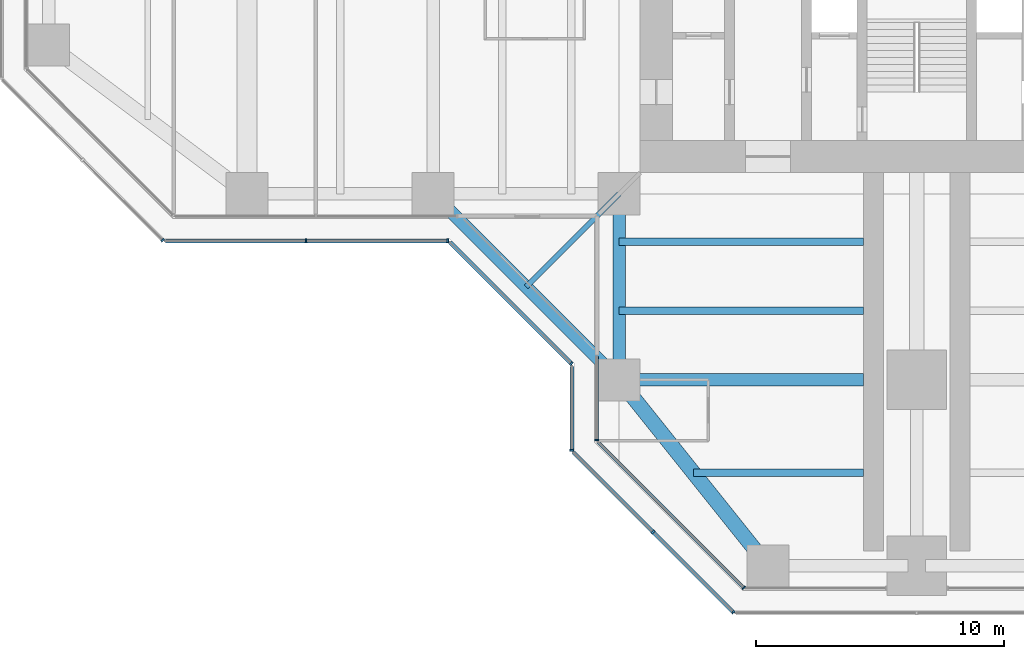
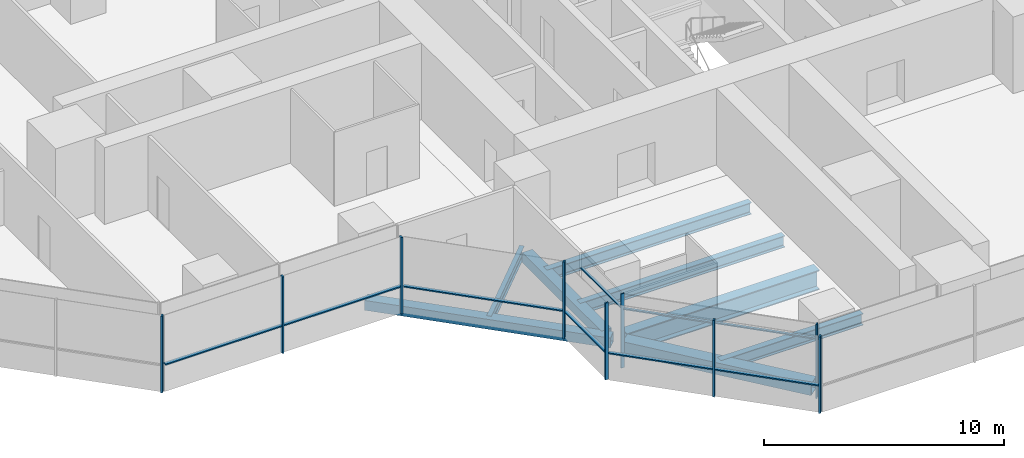
# One storey, part 2 of 20: 17 members, 8 beams, 7 elements without a shape of their own.
"""IFC4 building model written with IfcOpenShell, lengths in metres."""

from ifc_helpers import new_model, si_unit, direction, frame, origin, origin_2d, place, context, subcontext, project, spatial, rectangle, hollow_rectangle, i_section, extrude, material, material_profile, profile_set, type_object, element, aggregate, save


model = new_model("IFC4")

# Units and contexts
model_context = context("Model", 3, precision=1e-05, world=origin(), true_north=direction((0.0, 1.0)))
body_context = subcontext(model_context, "Body", "Model", "MODEL_VIEW")
ifc_project = project(units=[si_unit("LENGTHUNIT", "METRE"), si_unit("AREAUNIT", "SQUARE_METRE"), si_unit("VOLUMEUNIT", "CUBIC_METRE"), si_unit("PLANEANGLEUNIT", "RADIAN"), si_unit("MASSUNIT", "GRAM", prefix="KILO")], contexts=[model_context])

# Site, building, storey
site_placement = place(None, origin())
site = spatial("IfcSite", under=ifc_project, at=site_placement, CompositionType="ELEMENT")
building_placement = place(site_placement, origin())
building = spatial("IfcBuilding", under=site, at=building_placement, Name="Mizan Broadcast Tower", CompositionType="ELEMENT")
storey_placement = place(building_placement, frame((0.0, 0.0, 147.60009765625)))
storey = spatial("IfcBuildingStorey", under=building, at=storey_placement, Name="L33", CompositionType="ELEMENT", Elevation=147.60009765625)

# Beams
ifc_material_1 = material(Name="Steel S355", Category="steel")
ifc_material_profile_1 = material_profile(ifc_material_1, hollow_rectangle(XDim=0.5, YDim=0.5, WallThickness=0.030029296875, at=origin_2d()), Name="BOX 500x500x30")
ifc_profile_set_1 = profile_set([ifc_material_profile_1], Name="Steel S355")
beam_type_1 = type_object("IfcBeamType", Name="EDGE BEAM BOX 500x500x30", PredefinedType="SPANDREL", material=ifc_profile_set_1)
beam_1_placement = place(storey_placement, frame((-12.0, -12.449951171875, -0.380126953125), z_axis=(0.0, -1.0, 0.0), x_axis=(1.0, 0.0, 0.0)))
element("IfcBeam", 1, at=beam_1_placement, inside=storey, type_object=beam_type_1, Name="Edge beam BOX 500x500x30 L33 south arm", PredefinedType="SPANDREL", context=body_context, shape_type="SweptSolid", body=[
    extrude(hollow_rectangle(XDim=0.5, YDim=0.5, WallThickness=0.030029296875, at=origin_2d()), origin(), (0.0, 0.0, 1.0), 6.60009765625),
])
beam_2_placement = place(storey_placement, frame((-19.5, -12.0, -0.380126953125), z_axis=(0.707106781187, -0.707106781187, 0.0), x_axis=(0.707106781187, 0.707106781187, 0.0)))
element("IfcBeam", 2, at=beam_2_placement, inside=storey, type_object=beam_type_1, Name="Winter garden edge beam L33 W", PredefinedType="SPANDREL", context=body_context, shape_type="SweptSolid", body=[
    extrude(hollow_rectangle(XDim=0.5, YDim=0.5, WallThickness=0.030029296875, at=origin_2d()), origin(), (0.0, 0.0, 1.0), 10.606689453125),
])
ifc_material_2 = material(Name="Steel S355", Category="steel")
ifc_material_profile_2 = material_profile(ifc_material_2, hollow_rectangle(XDim=0.60009765625, YDim=0.60009765625, WallThickness=0.030029296875, at=origin_2d()), Name="BOX 600x600x30")
ifc_profile_set_2 = profile_set([ifc_material_profile_2], Name="Steel S355")
beam_type_2 = type_object("IfcBeamType", Name="EDGE BEAM BOX 600x600x30", PredefinedType="SPANDREL", material=ifc_profile_set_2)
beam_3_placement = place(storey_placement, frame((-11.639892578125, -19.949951171875, -0.43017578125), z_axis=(0.624673911726, -0.780885717636, 0.0), x_axis=(0.780885717636, 0.624673911726, 0.0)))
element("IfcBeam", 3, at=beam_3_placement, inside=storey, type_object=beam_type_2, Name="Edge beam BOX 600x600x30 L33 south arm", PredefinedType="SPANDREL", context=body_context, shape_type="SweptSolid", body=[
    extrude(hollow_rectangle(XDim=0.60009765625, YDim=0.60009765625, WallThickness=0.030029296875, at=origin_2d()), origin(), (0.0, 0.0, 1.0), 8.4521484375),
])
ifc_material_3 = material(Name="Steel S460", Category="steel")
ifc_material_profile_3 = material_profile(ifc_material_3, i_section(OverallWidth=0.5, OverallDepth=1.0, WebThickness=0.02490234375, FlangeThickness=0.050048828125, at=origin_2d()), Name="WPG 1000x500")
ifc_profile_set_3 = profile_set([ifc_material_profile_3], Name="Steel S460")
beam_type_3 = type_object("IfcBeamType", Name="GIRDER WPG 1000x500", PredefinedType="BEAM", material=ifc_profile_set_3)
beam_4_placement = place(storey_placement, frame((-11.408935546875, -19.5, -0.630126953125), z_axis=(1.0, 0.0, 0.0), x_axis=(0.0, 1.0, 0.0)))
element("IfcBeam", 4, at=beam_4_placement, inside=storey, type_object=beam_type_3, Name="Girder WPG 1000x500 L33 south arm", PredefinedType="BEAM", context=body_context, shape_type="SweptSolid", body=[
    extrude(i_section(OverallWidth=0.5, OverallDepth=1.0, WebThickness=0.02490234375, FlangeThickness=0.050048828125, at=origin_2d()), origin(), (0.0, 0.0, 1.0), 9.259033203125),
])

# Curtain wall, member
ifc_material_4 = material(Name="Aluminium framed glazing", Category="aluminium")
curtain_wall_type_1 = type_object("IfcCurtainWallType", Name="INNER SKIN MID ZONE", PredefinedType="USERDEFINED", material=ifc_material_4)
curtain_wall_1_placement = place(storey_placement, origin())
curtain_wall_1 = element("IfcCurtainWall", 5, at=curtain_wall_1_placement, inside=storey, type_object=curtain_wall_type_1, Name="Inner skin mid zone L33 S side", ObjectType="INNER SKIN MID ZONE", PredefinedType="USERDEFINED")
ifc_material_5 = material(Name="Aluminium, pale anodised", Category="aluminium")
ifc_material_profile_4 = material_profile(ifc_material_5, rectangle(XDim=0.159912109375, YDim=0.06005859375, at=origin_2d()), Name="MULLION 160x60")
ifc_profile_set_4 = profile_set([ifc_material_profile_4], Name="Aluminium, pale anodised")
member_type_1 = type_object("IfcMemberType", Name="INNER SKIN MULLION 60x160", PredefinedType="MULLION", material=ifc_profile_set_4)
member_1_placement = place(storey_placement, frame((-12.89990234375, -21.928466796875, 0.0), z_axis=(0.0, 0.0, 1.0), x_axis=(1.0, 0.0, 0.0)))
member_1 = element("IfcMember", 6, at=member_1_placement, type_object=member_type_1, Name="Inner skin mid zone L33 S side mullion 2", PredefinedType="MULLION", context=body_context, shape_type="SweptSolid", body=[
    extrude(rectangle(XDim=0.159912109375, YDim=0.06005859375, at=origin_2d()), origin(), (0.0, 0.0, 1.0), 3.77001953125),
])

curtain_wall_2_placement = place(storey_placement, origin())
curtain_wall_2 = element("IfcCurtainWall", 7, at=curtain_wall_2_placement, inside=storey, type_object=curtain_wall_type_1, Name="Inner skin mid zone L33 S chamfer", ObjectType="INNER SKIN MID ZONE", PredefinedType="USERDEFINED")
member_2_placement = place(storey_placement, frame((-6.979736328125, -27.87890625, 0.0), z_axis=(0.0, 0.0, 1.0), x_axis=(0.707106781187, 0.707106781187, 0.0)))
member_2 = element("IfcMember", 8, at=member_2_placement, type_object=member_type_1, Name="Inner skin mid zone L33 S chamfer mullion 2", PredefinedType="MULLION", context=body_context, shape_type="SweptSolid", body=[
    extrude(rectangle(XDim=0.159912109375, YDim=0.06005859375, at=origin_2d()), origin(), (0.0, 0.0, 1.0), 3.77001953125),
])

# Member
ifc_material_6 = material(Name="Aluminium, pale anodised", Category="aluminium")
ifc_material_profile_5 = material_profile(ifc_material_6, rectangle(XDim=0.1201171875, YDim=0.06005859375, at=origin_2d()), Name="TRANSOM 120x60")
ifc_profile_set_5 = profile_set([ifc_material_profile_5], Name="Aluminium, pale anodised")
member_type_2 = type_object("IfcMemberType", Name="INNER SKIN TRANSOM 60x120", PredefinedType="USERDEFINED", material=ifc_profile_set_5)
member_3_placement = place(storey_placement, frame((-12.89990234375, -18.56005859375, 3.02978515625), z_axis=(0.0, -1.0, 0.0), x_axis=(1.0, 0.0, 0.0)))
member_3 = element("IfcMember", 9, at=member_3_placement, type_object=member_type_2, Name="Inner skin mid zone L33 S side transom 1.1", ObjectType="TRANSOM", PredefinedType="USERDEFINED", context=body_context, shape_type="SweptSolid", body=[
    extrude(rectangle(XDim=0.1201171875, YDim=0.06005859375, at=origin_2d()), origin(), (0.0, 0.0, 1.0), 3.338623046875),
])

aggregate(curtain_wall_1, [member_1, member_3])

member_4_placement = place(storey_placement, frame((-12.857666015625, -22.0009765625, 3.02978515625), z_axis=(0.707106781187, -0.707106781187, 0.0), x_axis=(0.707106781187, 0.707106781187, 0.0)))
member_4 = element("IfcMember", 10, at=member_4_placement, type_object=member_type_2, Name="Inner skin mid zone L33 S chamfer transom 1.1", ObjectType="TRANSOM", PredefinedType="USERDEFINED", context=body_context, shape_type="SweptSolid", body=[
    extrude(rectangle(XDim=0.1201171875, YDim=0.06005859375, at=origin_2d()), origin(), (0.0, 0.0, 1.0), 8.28271484375),
])

aggregate(curtain_wall_2, [member_2, member_4])

# Curtain wall, member
ifc_material_7 = material(Name="Aluminium framed glazing", Category="aluminium")
curtain_wall_type_2 = type_object("IfcCurtainWallType", Name="OUTER SKIN", PredefinedType="USERDEFINED", material=ifc_material_7)
curtain_wall_3_placement = place(storey_placement, origin())
curtain_wall_3 = element("IfcCurtainWall", 11, at=curtain_wall_3_placement, inside=storey, type_object=curtain_wall_type_2, Name="Outer skin L33 W chamfer", ObjectType="OUTER SKIN", PredefinedType="USERDEFINED")
ifc_material_8 = material(Name="Aluminium, pale anodised", Category="aluminium")
ifc_material_profile_6 = material_profile(ifc_material_8, rectangle(XDim=0.159912109375, YDim=0.080078125, at=origin_2d()), Name="MULLION 160x80")
ifc_profile_set_6 = profile_set([ifc_material_profile_6], Name="Aluminium, pale anodised")
member_type_3 = type_object("IfcMemberType", Name="OUTER SKIN MULLION 80x160", PredefinedType="MULLION", material=ifc_profile_set_6)
member_5_placement = place(storey_placement, frame((-30.401123046875, -13.871826171875, 0.0), z_axis=(0.0, 0.0, 1.0), x_axis=(0.707106781187, 0.707106781187, 0.0)))
member_5 = element("IfcMember", 12, at=member_5_placement, type_object=member_type_3, Name="Outer skin L33 W chamfer mullion 3", PredefinedType="MULLION", context=body_context, shape_type="SweptSolid", body=[
    extrude(rectangle(XDim=0.159912109375, YDim=0.080078125, at=origin_2d()), origin(), (0.0, 0.0, 1.0), 3.89990234375),
])
aggregate(curtain_wall_3, [member_5])

# Curtain wall, members
curtain_wall_4_placement = place(storey_placement, origin())
curtain_wall_4 = element("IfcCurtainWall", 13, at=curtain_wall_4_placement, inside=storey, type_object=curtain_wall_type_2, Name="Outer skin L33 W side", ObjectType="OUTER SKIN", PredefinedType="USERDEFINED")
member_6_placement = place(storey_placement, frame((-24.622802734375, -13.89990234375, 0.0), z_axis=(0.0, 0.0, 1.0), x_axis=(0.0, 1.0, 0.0)))
member_6 = element("IfcMember", 14, at=member_6_placement, type_object=member_type_3, Name="Outer skin L33 W side mullion 2", PredefinedType="MULLION", context=body_context, shape_type="SweptSolid", body=[
    extrude(rectangle(XDim=0.159912109375, YDim=0.080078125, at=origin_2d()), origin(), (0.0, 0.0, 1.0), 3.89990234375),
])
member_7_placement = place(storey_placement, frame((-18.912841796875, -13.89990234375, 0.0), z_axis=(0.0, 0.0, 1.0), x_axis=(0.0, 1.0, 0.0)))
member_7 = element("IfcMember", 15, at=member_7_placement, type_object=member_type_3, Name="Outer skin L33 W side mullion 3", PredefinedType="MULLION", context=body_context, shape_type="SweptSolid", body=[
    extrude(rectangle(XDim=0.159912109375, YDim=0.080078125, at=origin_2d()), origin(), (0.0, 0.0, 1.0), 3.89990234375),
])

# Curtain wall, member
curtain_wall_5_placement = place(storey_placement, origin())
curtain_wall_5 = element("IfcCurtainWall", 16, at=curtain_wall_5_placement, inside=storey, type_object=curtain_wall_type_2, Name="Outer skin L33 W chamfer", ObjectType="OUTER SKIN", PredefinedType="USERDEFINED")
member_8_placement = place(storey_placement, frame((-13.92822265625, -18.844482421875, 0.0), z_axis=(0.0, 0.0, 1.0), x_axis=(0.707106781187, 0.707106781187, 0.0)))
member_8 = element("IfcMember", 17, at=member_8_placement, type_object=member_type_3, Name="Outer skin L33 W chamfer mullion 2", PredefinedType="MULLION", context=body_context, shape_type="SweptSolid", body=[
    extrude(rectangle(XDim=0.159912109375, YDim=0.080078125, at=origin_2d()), origin(), (0.0, 0.0, 1.0), 3.89990234375),
])

curtain_wall_6_placement = place(storey_placement, origin())
curtain_wall_6 = element("IfcCurtainWall", 18, at=curtain_wall_6_placement, inside=storey, type_object=curtain_wall_type_2, Name="Outer skin L33 S side", ObjectType="OUTER SKIN", PredefinedType="USERDEFINED")
member_9_placement = place(storey_placement, frame((-13.89990234375, -22.332763671875, 0.0), z_axis=(0.0, 0.0, 1.0), x_axis=(1.0, 0.0, 0.0)))
member_9 = element("IfcMember", 19, at=member_9_placement, type_object=member_type_3, Name="Outer skin L33 S side mullion 2", PredefinedType="MULLION", context=body_context, shape_type="SweptSolid", body=[
    extrude(rectangle(XDim=0.159912109375, YDim=0.080078125, at=origin_2d()), origin(), (0.0, 0.0, 1.0), 3.89990234375),
])

# Curtain wall, members
curtain_wall_7_placement = place(storey_placement, origin())
curtain_wall_7 = element("IfcCurtainWall", 20, at=curtain_wall_7_placement, inside=storey, type_object=curtain_wall_type_2, Name="Outer skin L33 S chamfer", ObjectType="OUTER SKIN", PredefinedType="USERDEFINED")
member_10_placement = place(storey_placement, frame((-10.636474609375, -25.636474609375, 0.0), z_axis=(0.0, 0.0, 1.0), x_axis=(0.707106781187, 0.707106781187, 0.0)))
member_10 = element("IfcMember", 21, at=member_10_placement, type_object=member_type_3, Name="Outer skin L33 S chamfer mullion 2", PredefinedType="MULLION", context=body_context, shape_type="SweptSolid", body=[
    extrude(rectangle(XDim=0.159912109375, YDim=0.080078125, at=origin_2d()), origin(), (0.0, 0.0, 1.0), 3.89990234375),
])
member_11_placement = place(storey_placement, frame((-7.401123046875, -28.871826171875, 0.0), z_axis=(0.0, 0.0, 1.0), x_axis=(0.707106781187, 0.707106781187, 0.0)))
member_11 = element("IfcMember", 22, at=member_11_placement, type_object=member_type_3, Name="Outer skin L33 S chamfer mullion 3", PredefinedType="MULLION", context=body_context, shape_type="SweptSolid", body=[
    extrude(rectangle(XDim=0.159912109375, YDim=0.080078125, at=origin_2d()), origin(), (0.0, 0.0, 1.0), 3.89990234375),
])

# Member
ifc_material_9 = material(Name="Aluminium, pale anodised", Category="aluminium")
ifc_material_profile_7 = material_profile(ifc_material_9, rectangle(XDim=0.159912109375, YDim=0.06005859375, at=origin_2d()), Name="TRANSOM 160x60")
ifc_profile_set_7 = profile_set([ifc_material_profile_7], Name="Aluminium, pale anodised")
member_type_4 = type_object("IfcMemberType", Name="OUTER SKIN TRANSOM 60x160", PredefinedType="USERDEFINED", material=ifc_profile_set_7)
member_12_placement = place(storey_placement, frame((-30.292724609375, -13.89990234375, 1.39990234375), z_axis=(1.0, 0.0, 0.0), x_axis=(0.0, 1.0, 0.0)))
member_12 = element("IfcMember", 23, at=member_12_placement, type_object=member_type_4, Name="Outer skin L33 W side transom 1.1", ObjectType="TRANSOM", PredefinedType="USERDEFINED", context=body_context, shape_type="SweptSolid", body=[
    extrude(rectangle(XDim=0.159912109375, YDim=0.06005859375, at=origin_2d()), origin(), (0.0, 0.0, 1.0), 5.6298828125),
])

member_13_placement = place(storey_placement, frame((-24.582763671875, -13.89990234375, 1.39990234375), z_axis=(1.0, 0.0, 0.0), x_axis=(0.0, 1.0, 0.0)))
member_13 = element("IfcMember", 24, at=member_13_placement, type_object=member_type_4, Name="Outer skin L33 W side transom 2.1", ObjectType="TRANSOM", PredefinedType="USERDEFINED", context=body_context, shape_type="SweptSolid", body=[
    extrude(rectangle(XDim=0.159912109375, YDim=0.06005859375, at=origin_2d()), origin(), (0.0, 0.0, 1.0), 5.6298828125),
])

aggregate(curtain_wall_4, [member_6, member_7, member_12, member_13])

member_14_placement = place(storey_placement, frame((-18.816162109375, -13.95654296875, 1.39990234375), z_axis=(0.707106781187, -0.707106781187, 0.0), x_axis=(0.707106781187, 0.707106781187, 0.0)))
member_14 = element("IfcMember", 25, at=member_14_placement, type_object=member_type_4, Name="Outer skin L33 W chamfer transom 1.1", ObjectType="TRANSOM", PredefinedType="USERDEFINED", context=body_context, shape_type="SweptSolid", body=[
    extrude(rectangle(XDim=0.159912109375, YDim=0.06005859375, at=origin_2d()), origin(), (0.0, 0.0, 1.0), 6.87255859375),
])

aggregate(curtain_wall_5, [member_8, member_14])

member_15_placement = place(storey_placement, frame((-13.89990234375, -18.952880859375, 1.39990234375), z_axis=(0.0, -1.0, 0.0), x_axis=(1.0, 0.0, 0.0)))
member_15 = element("IfcMember", 26, at=member_15_placement, type_object=member_type_4, Name="Outer skin L33 S side transom 1.1", ObjectType="TRANSOM", PredefinedType="USERDEFINED", context=body_context, shape_type="SweptSolid", body=[
    extrude(rectangle(XDim=0.159912109375, YDim=0.06005859375, at=origin_2d()), origin(), (0.0, 0.0, 1.0), 3.33984375),
])

aggregate(curtain_wall_6, [member_9, member_15])

member_16_placement = place(storey_placement, frame((-13.843505859375, -22.429443359375, 1.39990234375), z_axis=(0.707106781187, -0.707106781187, 0.0), x_axis=(0.707106781187, 0.707106781187, 0.0)))
member_16 = element("IfcMember", 27, at=member_16_placement, type_object=member_type_4, Name="Outer skin L33 S chamfer transom 1.1", ObjectType="TRANSOM", PredefinedType="USERDEFINED", context=body_context, shape_type="SweptSolid", body=[
    extrude(rectangle(XDim=0.159912109375, YDim=0.06005859375, at=origin_2d()), origin(), (0.0, 0.0, 1.0), 4.495361328125),
])

member_17_placement = place(storey_placement, frame((-10.608154296875, -25.664794921875, 1.39990234375), z_axis=(0.707106781187, -0.707106781187, 0.0), x_axis=(0.707106781187, 0.707106781187, 0.0)))
member_17 = element("IfcMember", 28, at=member_17_placement, type_object=member_type_4, Name="Outer skin L33 S chamfer transom 2.1", ObjectType="TRANSOM", PredefinedType="USERDEFINED", context=body_context, shape_type="SweptSolid", body=[
    extrude(rectangle(XDim=0.159912109375, YDim=0.06005859375, at=origin_2d()), origin(), (0.0, 0.0, 1.0), 4.495361328125),
])

aggregate(curtain_wall_7, [member_10, member_11, member_16, member_17])

# Beams
ifc_material_10 = material(Name="Steel S355", Category="steel")
ifc_material_profile_8 = material_profile(ifc_material_10, i_section(OverallWidth=0.300048828125, OverallDepth=0.590087890625, WebThickness=0.012939453125, FlangeThickness=0.02490234375, FilletRadius=0.027099609375, at=origin_2d()), Name="HEA 600")
ifc_profile_set_8 = profile_set([ifc_material_profile_8], Name="Steel S355")
beam_type_4 = type_object("IfcBeamType", Name="SECONDARY BEAM HEA 600", PredefinedType="JOIST", material=ifc_profile_set_8)
for number, where, z_axis, x_axis, name in (
    (29, (-12.0, -13.933349609375, -0.425048828125), (1.0, 0.0, 0.0), (0.0, 1.0, 0.0), "Secondary beam HEA 600 L33 south arm"),
    (30, (-12.0, -16.716552734375, -0.425048828125), (1.0, 0.0, 0.0), (0.0, 1.0, 0.0), "Secondary beam HEA 600 L33 south arm"),
):
    element("IfcBeam", number, at=place(storey_placement, frame(where, z_axis=z_axis, x_axis=x_axis)), inside=storey, type_object=beam_type_4, Name=name, PredefinedType="JOIST", context=body_context, shape_type="SweptSolid", body=[
        extrude(i_section(OverallWidth=0.300048828125, OverallDepth=0.590087890625, WebThickness=0.012939453125, FlangeThickness=0.02490234375, FilletRadius=0.027099609375, at=origin_2d()), origin(), (0.0, 0.0, 1.0), 9.85009765625),
    ])
beam_5_placement = place(storey_placement, frame((-9.0, -23.25, -0.425048828125), z_axis=(1.0, 0.0, 0.0), x_axis=(0.0, 1.0, 0.0)))
element("IfcBeam", 31, at=beam_5_placement, inside=storey, type_object=beam_type_4, Name="Secondary beam HEA 600 L33 south arm", PredefinedType="JOIST", context=body_context, shape_type="SweptSolid", body=[
    extrude(i_section(OverallWidth=0.300048828125, OverallDepth=0.590087890625, WebThickness=0.012939453125, FlangeThickness=0.02490234375, FilletRadius=0.027099609375, at=origin_2d()), origin(), (0.0, 0.0, 1.0), 6.85009765625),
])
ifc_material_11 = material(Name="Steel S355", Category="steel")
ifc_material_profile_9 = material_profile(ifc_material_11, i_section(OverallWidth=0.2099609375, OverallDepth=0.550048828125, WebThickness=0.010986328125, FlangeThickness=0.01708984375, FilletRadius=0.02392578125, at=origin_2d()), Name="IPE 550")
ifc_profile_set_9 = profile_set([ifc_material_profile_9], Name="Steel S355")
beam_type_5 = type_object("IfcBeamType", Name="SECONDARY BEAM IPE 550", PredefinedType="JOIST", material=ifc_profile_set_9)
beam_6_placement = place(storey_placement, frame((-12.0, -12.0, -0.405029296875), z_axis=(-0.707106781187, -0.707106781187, 0.0), x_axis=(0.707106781187, -0.707106781187, 0.0)))
element("IfcBeam", 32, at=beam_6_placement, inside=storey, type_object=beam_type_5, Name="Winter garden beam L33 W", PredefinedType="JOIST", context=body_context, shape_type="SweptSolid", body=[
    extrude(i_section(OverallWidth=0.2099609375, OverallDepth=0.550048828125, WebThickness=0.010986328125, FlangeThickness=0.01708984375, FilletRadius=0.02392578125, at=origin_2d()), origin(), (0.0, 0.0, 1.0), 5.30322265625),
])

save(model, "model.ifc")
